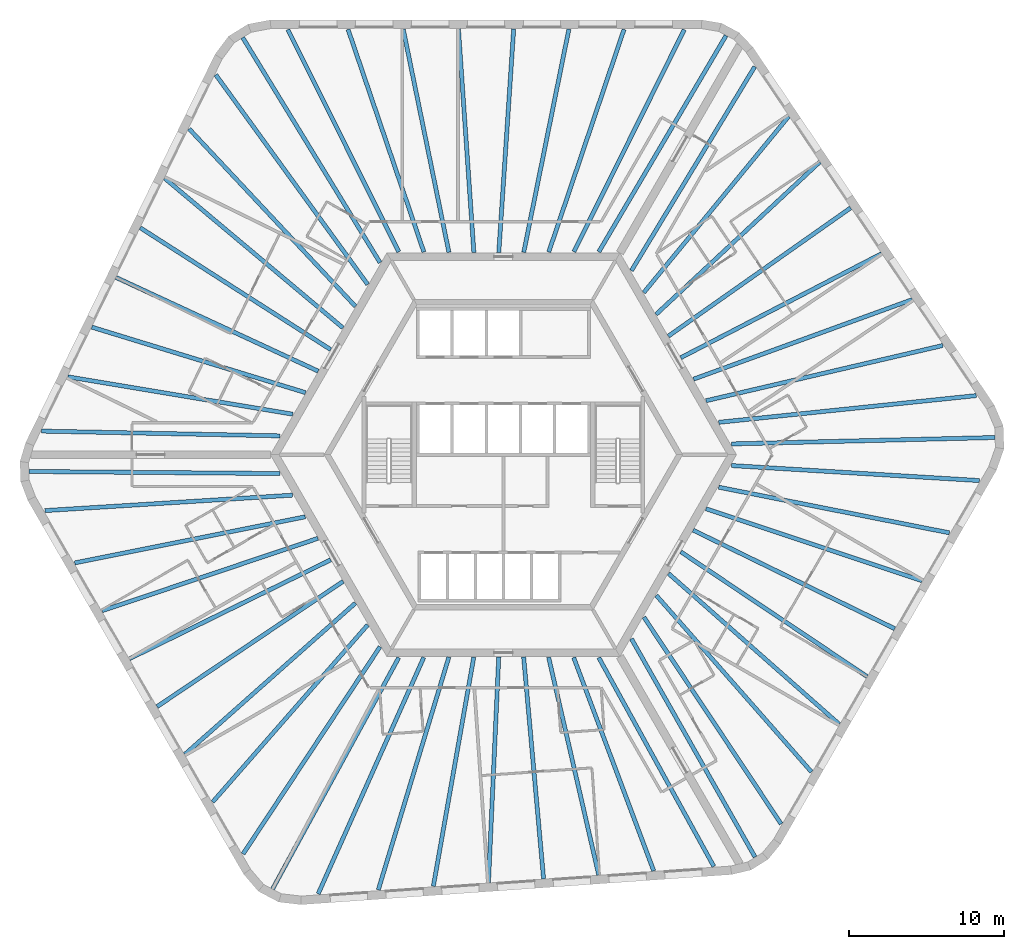
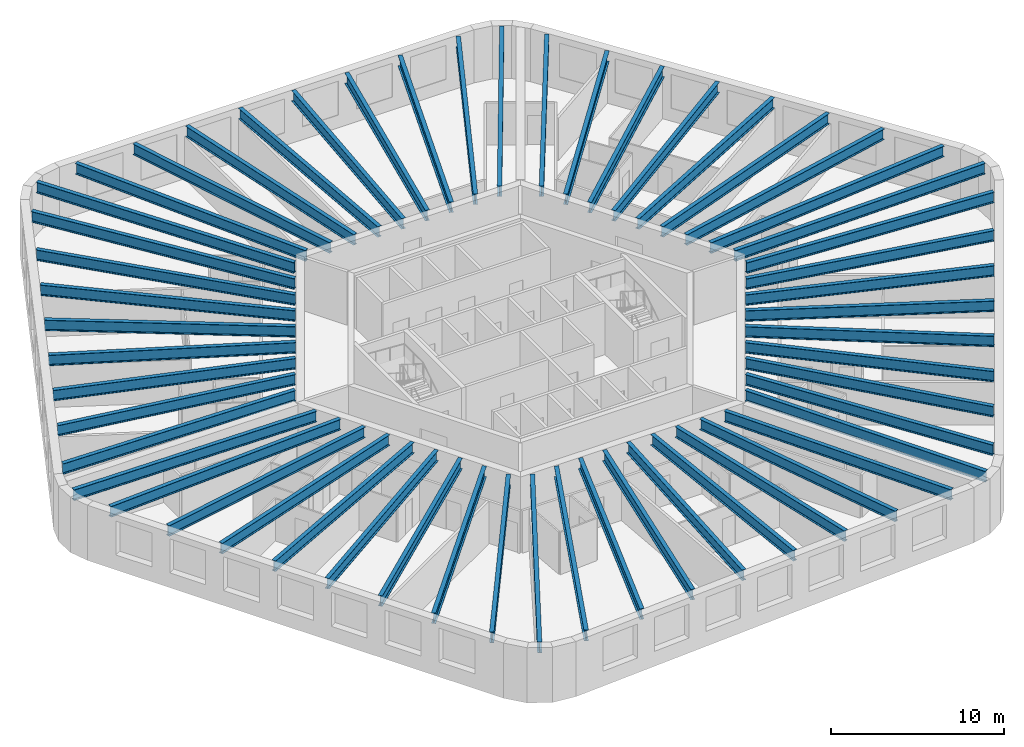
# One storey, part 1 of 10: 54 beams.
"""IFC4 building model written with IfcOpenShell, lengths in metres."""

from ifc_helpers import new_model, si_unit, direction, frame, origin, origin_2d, place, context, subcontext, project, spatial, i_section, extrude, material, material_profile, profile_set, type_object, element, save


model = new_model("IFC4")

# Units and contexts
model_context = context("Model", 3, precision=1e-05, world=origin(), true_north=direction((0.0, 1.0)))
body_context = subcontext(model_context, "Body", "Model", "MODEL_VIEW")
ifc_project = project(units=[si_unit("LENGTHUNIT", "METRE"), si_unit("AREAUNIT", "SQUARE_METRE"), si_unit("VOLUMEUNIT", "CUBIC_METRE"), si_unit("PLANEANGLEUNIT", "RADIAN"), si_unit("MASSUNIT", "GRAM", prefix="KILO")], contexts=[model_context])

# Site, building, storey
site_placement = place(None, origin())
site = spatial("IfcSite", under=ifc_project, at=site_placement, CompositionType="ELEMENT")
building_placement = place(site_placement, origin())
building = spatial("IfcBuilding", under=site, at=building_placement, Name="Tarnside Tower", CompositionType="ELEMENT")
storey_placement = place(building_placement, frame((0.0, 0.0, 168.300048828125)))
storey = spatial("IfcBuildingStorey", under=building, at=storey_placement, Name="L39", CompositionType="ELEMENT", Elevation=168.300048828125)

# Beams
ifc_material = material(Name="Steel S355", Category="steel")
ifc_material_profile_1 = material_profile(ifc_material, i_section(OverallWidth=0.26513671875, OverallDepth=0.75390625, WebThickness=0.0126953125, FlangeThickness=0.017578125, FilletRadius=0.0166015625, at=origin_2d()), Name="UB 762x267x147")
ifc_profile_set_1 = profile_set([ifc_material_profile_1], Name="Steel S355")
beam_type_1 = type_object("IfcBeamType", Name="Floor beam UB 762x267x147", PredefinedType="BEAM", material=ifc_profile_set_1)
beam_1_placement = place(storey_placement, frame((7.77001953125, 27.393310546875, 3.373046875), z_axis=(-0.320362579778, -0.947295000239, 0.0), x_axis=(0.947295000239, -0.320362579778, 0.0)))
element("IfcBeam", 1, at=beam_1_placement, inside=storey, type_object=beam_type_1, Name="Floor beam F1.02", PredefinedType="BEAM", context=body_context, shape_type="SweptSolid", body=[
    extrude(i_section(OverallWidth=0.26513671875, OverallDepth=0.75390625, WebThickness=0.0126953125, FlangeThickness=0.017578125, FilletRadius=0.0166015625, at=origin_2d()), origin(), (0.0, 0.0, 1.0), 15.134033203125),
])
beam_2_placement = place(storey_placement, frame((4.218505859375, 27.410888671875, 3.373046875), z_axis=(-0.19841777413, -0.980117537293, 0.0), x_axis=(0.980117537293, -0.19841777413, 0.0)))
element("IfcBeam", 2, at=beam_2_placement, inside=storey, type_object=beam_type_1, Name="Floor beam F1.03", PredefinedType="BEAM", context=body_context, shape_type="SweptSolid", body=[
    extrude(i_section(OverallWidth=0.26513671875, OverallDepth=0.75390625, WebThickness=0.0126953125, FlangeThickness=0.017578125, FilletRadius=0.0166015625, at=origin_2d()), origin(), (0.0, 0.0, 1.0), 14.6630859375),
])
beam_3_placement = place(storey_placement, frame((0.66259765625, 27.429931640625, 3.373046875), z_axis=(-0.066554914868, -0.997782763585, 0.0), x_axis=(0.997782763585, -0.066554914868, 0.0)))
element("IfcBeam", 3, at=beam_3_placement, inside=storey, type_object=beam_type_1, Name="Floor beam F1.04", PredefinedType="BEAM", context=body_context, shape_type="SweptSolid", body=[
    extrude(i_section(OverallWidth=0.26513671875, OverallDepth=0.75390625, WebThickness=0.0126953125, FlangeThickness=0.017578125, FilletRadius=0.0166015625, at=origin_2d()), origin(), (0.0, 0.0, 1.0), 14.44189453125),
])
beam_4_placement = place(storey_placement, frame((-2.8974609375, 27.429931640625, 3.373046875), z_axis=(0.068876921658, -0.997625164911, 0.0), x_axis=(0.997625164911, 0.068876921658, 0.0)))
element("IfcBeam", 4, at=beam_4_placement, inside=storey, type_object=beam_type_1, Name="Floor beam F1.05", PredefinedType="BEAM", context=body_context, shape_type="SweptSolid", body=[
    extrude(i_section(OverallWidth=0.26513671875, OverallDepth=0.75390625, WebThickness=0.0126953125, FlangeThickness=0.017578125, FilletRadius=0.0166015625, at=origin_2d()), origin(), (0.0, 0.0, 1.0), 14.4443359375),
])
beam_5_placement = place(storey_placement, frame((-6.45361328125, 27.410888671875, 3.373046875), z_axis=(0.200623497398, -0.979668419564, 0.0), x_axis=(0.979668419564, 0.200623497398, 0.0)))
element("IfcBeam", 5, at=beam_5_placement, inside=storey, type_object=beam_type_1, Name="Floor beam F1.06", PredefinedType="BEAM", context=body_context, shape_type="SweptSolid", body=[
    extrude(i_section(OverallWidth=0.26513671875, OverallDepth=0.75390625, WebThickness=0.0126953125, FlangeThickness=0.017578125, FilletRadius=0.0166015625, at=origin_2d()), origin(), (0.0, 0.0, 1.0), 14.669921875),
])
beam_6_placement = place(storey_placement, frame((-10.0048828125, 27.393310546875, 3.373046875), z_axis=(0.322343712034, -0.946622697442, 0.0), x_axis=(0.946622697442, 0.322343712034, 0.0)))
element("IfcBeam", 6, at=beam_6_placement, inside=storey, type_object=beam_type_1, Name="Floor beam F1.07", PredefinedType="BEAM", context=body_context, shape_type="SweptSolid", body=[
    extrude(i_section(OverallWidth=0.26513671875, OverallDepth=0.75390625, WebThickness=0.0126953125, FlangeThickness=0.017578125, FilletRadius=0.0166015625, at=origin_2d()), origin(), (0.0, 0.0, 1.0), 15.144775390625),
])
beam_7_placement = place(storey_placement, frame((-20.241455078125, 20.9892578125, 3.373046875), z_axis=(0.683752330283, -0.729714156936, 0.0), x_axis=(0.729714156936, 0.683752330283, 0.0)))
element("IfcBeam", 7, at=beam_7_placement, inside=storey, type_object=beam_type_1, Name="Floor beam F2.02", PredefinedType="BEAM", context=body_context, shape_type="SweptSolid", body=[
    extrude(i_section(OverallWidth=0.26513671875, OverallDepth=0.75390625, WebThickness=0.0126953125, FlangeThickness=0.017578125, FilletRadius=0.0166015625, at=origin_2d()), origin(), (0.0, 0.0, 1.0), 15.6591796875),
])
beam_8_placement = place(storey_placement, frame((-21.81396484375, 17.80419921875, 3.373046875), z_axis=(0.765948461073, -0.642901979294, 0.0), x_axis=(0.642901979294, 0.765948461073, 0.0)))
element("IfcBeam", 8, at=beam_8_placement, inside=storey, type_object=beam_type_1, Name="Floor beam F2.03", PredefinedType="BEAM", context=body_context, shape_type="SweptSolid", body=[
    extrude(i_section(OverallWidth=0.26513671875, OverallDepth=0.75390625, WebThickness=0.0126953125, FlangeThickness=0.017578125, FilletRadius=0.0166015625, at=origin_2d()), origin(), (0.0, 0.0, 1.0), 14.982177734375),
])
beam_9_placement = place(storey_placement, frame((-23.389892578125, 14.616455078125, 3.373046875), z_axis=(0.842378275633, -0.538886667808, 0.0), x_axis=(0.538886667808, 0.842378275633, 0.0)))
element("IfcBeam", 9, at=beam_9_placement, inside=storey, type_object=beam_type_1, Name="Floor beam F2.04", PredefinedType="BEAM", context=body_context, shape_type="SweptSolid", body=[
    extrude(i_section(OverallWidth=0.26513671875, OverallDepth=0.75390625, WebThickness=0.0126953125, FlangeThickness=0.017578125, FilletRadius=0.0166015625, at=origin_2d()), origin(), (0.0, 0.0, 1.0), 14.5595703125),
])
beam_10_placement = place(storey_placement, frame((-24.9501953125, 11.416748046875, 3.373046875), z_axis=(0.907310131748, -0.420462037321, 0.0), x_axis=(0.420462037321, 0.907310131748, 0.0)))
element("IfcBeam", 10, at=beam_10_placement, inside=storey, type_object=beam_type_1, Name="Floor beam F2.05", PredefinedType="BEAM", context=body_context, shape_type="SweptSolid", body=[
    extrude(i_section(OverallWidth=0.26513671875, OverallDepth=0.75390625, WebThickness=0.0126953125, FlangeThickness=0.017578125, FilletRadius=0.0166015625, at=origin_2d()), origin(), (0.0, 0.0, 1.0), 14.353515625),
])
beam_11_placement = place(storey_placement, frame((-26.510986328125, 8.2177734375, 3.373046875), z_axis=(0.956073348261, -0.293127536654, 0.0), x_axis=(0.293127536654, 0.956073348261, 0.0)))
element("IfcBeam", 11, at=beam_11_placement, inside=storey, type_object=beam_type_1, Name="Floor beam F2.06", PredefinedType="BEAM", context=body_context, shape_type="SweptSolid", body=[
    extrude(i_section(OverallWidth=0.26513671875, OverallDepth=0.75390625, WebThickness=0.0126953125, FlangeThickness=0.017578125, FilletRadius=0.0166015625, at=origin_2d()), origin(), (0.0, 0.0, 1.0), 14.3955078125),
])
beam_12_placement = place(storey_placement, frame((-28.0517578125, 5.015869140625, 3.373046875), z_axis=(0.986476498304, -0.163902770858, 0.0), x_axis=(0.163902770858, 0.986476498304, 0.0)))
element("IfcBeam", 12, at=beam_12_placement, inside=storey, type_object=beam_type_1, Name="Floor beam F2.07", PredefinedType="BEAM", context=body_context, shape_type="SweptSolid", body=[
    extrude(i_section(OverallWidth=0.26513671875, OverallDepth=0.75390625, WebThickness=0.0126953125, FlangeThickness=0.017578125, FilletRadius=0.0166015625, at=origin_2d()), origin(), (0.0, 0.0, 1.0), 14.680908203125),
])
beam_13_placement = place(storey_placement, frame((-29.73828125, 1.521484375, 3.373046875), z_axis=(0.999800142641, -0.019991867701, 0.0), x_axis=(0.019991867701, 0.999800142641, 0.0)))
element("IfcBeam", 13, at=beam_13_placement, inside=storey, type_object=beam_type_1, Name="Floor beam F2.08", PredefinedType="BEAM", context=body_context, shape_type="SweptSolid", body=[
    extrude(i_section(OverallWidth=0.26513671875, OverallDepth=0.75390625, WebThickness=0.0126953125, FlangeThickness=0.017578125, FilletRadius=0.0166015625, at=origin_2d()), origin(), (0.0, 0.0, 1.0), 15.3505859375),
])
beam_14_placement = place(storey_placement, frame((-27.608154296875, -6.967529296875, 3.373046875), z_axis=(0.980564540422, 0.196196794232, 0.0), x_axis=(-0.196196794232, 0.980564540422, 0.0)))
element("IfcBeam", 14, at=beam_14_placement, inside=storey, type_object=beam_type_1, Name="Floor beam F3.02", PredefinedType="BEAM", context=body_context, shape_type="SweptSolid", body=[
    extrude(i_section(OverallWidth=0.26513671875, OverallDepth=0.75390625, WebThickness=0.0126953125, FlangeThickness=0.017578125, FilletRadius=0.0166015625, at=origin_2d()), origin(), (0.0, 0.0, 1.0), 15.134033203125),
])
beam_15_placement = place(storey_placement, frame((-25.84765625, -10.052001953125, 3.373046875), z_axis=(0.948011835322, 0.31823507049, 0.0), x_axis=(-0.31823507049, 0.948011835322, 0.0)))
element("IfcBeam", 15, at=beam_15_placement, inside=storey, type_object=beam_type_1, Name="Floor beam F3.03", PredefinedType="BEAM", context=body_context, shape_type="SweptSolid", body=[
    extrude(i_section(OverallWidth=0.26513671875, OverallDepth=0.75390625, WebThickness=0.0126953125, FlangeThickness=0.017578125, FilletRadius=0.0166015625, at=origin_2d()), origin(), (0.0, 0.0, 1.0), 14.662841796875),
])
beam_16_placement = place(storey_placement, frame((-24.086181640625, -13.141357421875, 3.373046875), z_axis=(0.897375974806, 0.441266767206, 0.0), x_axis=(-0.441266767206, 0.897375974806, 0.0)))
element("IfcBeam", 16, at=beam_16_placement, inside=storey, type_object=beam_type_1, Name="Floor beam F3.04", PredefinedType="BEAM", context=body_context, shape_type="SweptSolid", body=[
    extrude(i_section(OverallWidth=0.26513671875, OverallDepth=0.75390625, WebThickness=0.0126953125, FlangeThickness=0.017578125, FilletRadius=0.0166015625, at=origin_2d()), origin(), (0.0, 0.0, 1.0), 14.442138671875),
])
beam_17_placement = place(storey_placement, frame((-22.306396484375, -16.224365234375, 3.373046875), z_axis=(0.829532486243, 0.558458462437, 0.0), x_axis=(-0.558458462437, 0.829532486243, 0.0)))
element("IfcBeam", 17, at=beam_17_placement, inside=storey, type_object=beam_type_1, Name="Floor beam F3.05", PredefinedType="BEAM", context=body_context, shape_type="SweptSolid", body=[
    extrude(i_section(OverallWidth=0.26513671875, OverallDepth=0.75390625, WebThickness=0.0126953125, FlangeThickness=0.017578125, FilletRadius=0.0166015625, at=origin_2d()), origin(), (0.0, 0.0, 1.0), 14.444580078125),
])
beam_18_placement = place(storey_placement, frame((-20.51171875, -19.294189453125, 3.373046875), z_axis=(0.74811408094, 0.663570133369, 0.0), x_axis=(-0.663570133369, 0.74811408094, 0.0)))
element("IfcBeam", 18, at=beam_18_placement, inside=storey, type_object=beam_type_1, Name="Floor beam F3.06", PredefinedType="BEAM", context=body_context, shape_type="SweptSolid", body=[
    extrude(i_section(OverallWidth=0.26513671875, OverallDepth=0.75390625, WebThickness=0.0126953125, FlangeThickness=0.017578125, FilletRadius=0.0166015625, at=origin_2d()), origin(), (0.0, 0.0, 1.0), 14.669677734375),
])
beam_19_placement = place(storey_placement, frame((-18.720703125, -22.361083984375, 3.373046875), z_axis=(0.658621010302, 0.752474826681, 0.0), x_axis=(-0.752474826681, 0.658621010302, 0.0)))
element("IfcBeam", 19, at=beam_19_placement, inside=storey, type_object=beam_type_1, Name="Floor beam F3.07", PredefinedType="BEAM", context=body_context, shape_type="SweptSolid", body=[
    extrude(i_section(OverallWidth=0.26513671875, OverallDepth=0.75390625, WebThickness=0.0126953125, FlangeThickness=0.017578125, FilletRadius=0.0166015625, at=origin_2d()), origin(), (0.0, 0.0, 1.0), 15.144775390625),
])
beam_20_placement = place(storey_placement, frame((-8.056396484375, -28.024169921875, 3.373046875), z_axis=(0.290070138838, 0.957005388989, 0.0), x_axis=(-0.957005388989, 0.290070138838, 0.0)))
element("IfcBeam", 20, at=beam_20_placement, inside=storey, type_object=beam_type_1, Name="Floor beam F4.02", PredefinedType="BEAM", context=body_context, shape_type="SweptSolid", body=[
    extrude(i_section(OverallWidth=0.26513671875, OverallDepth=0.75390625, WebThickness=0.0126953125, FlangeThickness=0.017578125, FilletRadius=0.0166015625, at=origin_2d()), origin(), (0.0, 0.0, 1.0), 15.6591796875),
])
beam_21_placement = place(storey_placement, frame((-4.511962890625, -27.793701171875, 3.373046875), z_axis=(0.173788122681, 0.984783066678, 0.0), x_axis=(-0.984783066678, 0.173788122681, 0.0)))
element("IfcBeam", 21, at=beam_21_placement, inside=storey, type_object=beam_type_1, Name="Floor beam F4.03", PredefinedType="BEAM", context=body_context, shape_type="SweptSolid", body=[
    extrude(i_section(OverallWidth=0.26513671875, OverallDepth=0.75390625, WebThickness=0.0126953125, FlangeThickness=0.017578125, FilletRadius=0.0166015625, at=origin_2d()), origin(), (0.0, 0.0, 1.0), 14.982421875),
])
beam_22_placement = place(storey_placement, frame((-0.96337890625, -27.564453125, 3.373046875), z_axis=(0.045509585226, 0.998963902077, 0.0), x_axis=(-0.998963902077, 0.045509585226, 0.0)))
element("IfcBeam", 22, at=beam_22_placement, inside=storey, type_object=beam_type_1, Name="Floor beam F4.04", PredefinedType="BEAM", context=body_context, shape_type="SweptSolid", body=[
    extrude(i_section(OverallWidth=0.26513671875, OverallDepth=0.75390625, WebThickness=0.0126953125, FlangeThickness=0.017578125, FilletRadius=0.0166015625, at=origin_2d()), origin(), (0.0, 0.0, 1.0), 14.5595703125),
])
beam_23_placement = place(storey_placement, frame((2.587890625, -27.31591796875, 3.373046875), z_axis=(-0.089518916897, 0.995985122137, 0.0), x_axis=(-0.995985122137, -0.089518916897, 0.0)))
element("IfcBeam", 23, at=beam_23_placement, inside=storey, type_object=beam_type_1, Name="Floor beam F4.05", PredefinedType="BEAM", context=body_context, shape_type="SweptSolid", body=[
    extrude(i_section(OverallWidth=0.26513671875, OverallDepth=0.75390625, WebThickness=0.0126953125, FlangeThickness=0.017578125, FilletRadius=0.0166015625, at=origin_2d()), origin(), (0.0, 0.0, 1.0), 14.353515625),
])
beam_24_placement = place(storey_placement, frame((6.138671875, -27.068115234375, 3.373046875), z_axis=(-0.224188122435, 0.974545886944, 0.0), x_axis=(-0.974545886944, -0.224188122435, 0.0)))
element("IfcBeam", 24, at=beam_24_placement, inside=storey, type_object=beam_type_1, Name="Floor beam F4.06", PredefinedType="BEAM", context=body_context, shape_type="SweptSolid", body=[
    extrude(i_section(OverallWidth=0.26513671875, OverallDepth=0.75390625, WebThickness=0.0126953125, FlangeThickness=0.017578125, FilletRadius=0.0166015625, at=origin_2d()), origin(), (0.0, 0.0, 1.0), 14.3955078125),
])
beam_25_placement = place(storey_placement, frame((9.681884765625, -26.801513671875, 3.373046875), z_axis=(-0.351271055087, 0.936273809234, 0.0), x_axis=(-0.936273809234, -0.351271055087, 0.0)))
element("IfcBeam", 25, at=beam_25_placement, inside=storey, type_object=beam_type_1, Name="Floor beam F4.07", PredefinedType="BEAM", context=body_context, shape_type="SweptSolid", body=[
    extrude(i_section(OverallWidth=0.26513671875, OverallDepth=0.75390625, WebThickness=0.0126953125, FlangeThickness=0.017578125, FilletRadius=0.0166015625, at=origin_2d()), origin(), (0.0, 0.0, 1.0), 14.680908203125),
])
beam_26_placement = place(storey_placement, frame((13.551513671875, -26.514892578125, 3.373046875), z_axis=(-0.482584088089, 0.875849643445, 0.0), x_axis=(-0.875849643445, -0.482584088089, 0.0)))
element("IfcBeam", 26, at=beam_26_placement, inside=storey, type_object=beam_type_1, Name="Floor beam F4.08", PredefinedType="BEAM", context=body_context, shape_type="SweptSolid", body=[
    extrude(i_section(OverallWidth=0.26513671875, OverallDepth=0.75390625, WebThickness=0.0126953125, FlangeThickness=0.017578125, FilletRadius=0.0166015625, at=origin_2d()), origin(), (0.0, 0.0, 1.0), 15.3505859375),
])
beam_27_placement = place(storey_placement, frame((19.838134765625, -20.425537109375, 3.373046875), z_axis=(-0.660201214512, 0.751088780609, 0.0), x_axis=(-0.751088780609, -0.660201214512, 0.0)))
element("IfcBeam", 27, at=beam_27_placement, inside=storey, type_object=beam_type_1, Name="Floor beam F5.02", PredefinedType="BEAM", context=body_context, shape_type="SweptSolid", body=[
    extrude(i_section(OverallWidth=0.26513671875, OverallDepth=0.75390625, WebThickness=0.0126953125, FlangeThickness=0.017578125, FilletRadius=0.0166015625, at=origin_2d()), origin(), (0.0, 0.0, 1.0), 15.134033203125),
])
beam_28_placement = place(storey_placement, frame((21.629150390625, -17.358642578125, 3.373046875), z_axis=(-0.749601662028, 0.661889226597, 0.0), x_axis=(-0.661889226597, -0.749601662028, 0.0)))
element("IfcBeam", 28, at=beam_28_placement, inside=storey, type_object=beam_type_1, Name="Floor beam F5.03", PredefinedType="BEAM", context=body_context, shape_type="SweptSolid", body=[
    extrude(i_section(OverallWidth=0.26513671875, OverallDepth=0.75390625, WebThickness=0.0126953125, FlangeThickness=0.017578125, FilletRadius=0.0166015625, at=origin_2d()), origin(), (0.0, 0.0, 1.0), 14.6630859375),
])
beam_29_placement = place(storey_placement, frame((23.423828125, -14.288818359375, 3.373046875), z_axis=(-0.830825943553, 0.556532345439, 0.0), x_axis=(-0.556532345439, -0.830825943553, 0.0)))
element("IfcBeam", 29, at=beam_29_placement, inside=storey, type_object=beam_type_1, Name="Floor beam F5.04", PredefinedType="BEAM", context=body_context, shape_type="SweptSolid", body=[
    extrude(i_section(OverallWidth=0.26513671875, OverallDepth=0.75390625, WebThickness=0.0126953125, FlangeThickness=0.017578125, FilletRadius=0.0166015625, at=origin_2d()), origin(), (0.0, 0.0, 1.0), 14.4423828125),
])
beam_30_placement = place(storey_placement, frame((25.203857421875, -11.205810546875, 3.373046875), z_axis=(-0.898407034897, 0.43916375038, 0.0), x_axis=(-0.43916375038, -0.898407034897, 0.0)))
element("IfcBeam", 30, at=beam_30_placement, inside=storey, type_object=beam_type_1, Name="Floor beam F5.05", PredefinedType="BEAM", context=body_context, shape_type="SweptSolid", body=[
    extrude(i_section(OverallWidth=0.26513671875, OverallDepth=0.75390625, WebThickness=0.0126953125, FlangeThickness=0.017578125, FilletRadius=0.0166015625, at=origin_2d()), origin(), (0.0, 0.0, 1.0), 14.444580078125),
])
beam_31_placement = place(storey_placement, frame((26.965087890625, -8.116455078125, 3.373046875), z_axis=(-0.948728223501, 0.31609295774, 0.0), x_axis=(-0.31609295774, -0.948728223501, 0.0)))
element("IfcBeam", 31, at=beam_31_placement, inside=storey, type_object=beam_type_1, Name="Floor beam F5.06", PredefinedType="BEAM", context=body_context, shape_type="SweptSolid", body=[
    extrude(i_section(OverallWidth=0.26513671875, OverallDepth=0.75390625, WebThickness=0.0126953125, FlangeThickness=0.017578125, FilletRadius=0.0166015625, at=origin_2d()), origin(), (0.0, 0.0, 1.0), 14.669677734375),
])
beam_32_placement = place(storey_placement, frame((28.7255859375, -5.031982421875, 3.373046875), z_axis=(-0.980974250646, 0.194137888034, 0.0), x_axis=(-0.194137888034, -0.980974250646, 0.0)))
element("IfcBeam", 32, at=beam_32_placement, inside=storey, type_object=beam_type_1, Name="Floor beam F5.07", PredefinedType="BEAM", context=body_context, shape_type="SweptSolid", body=[
    extrude(i_section(OverallWidth=0.26513671875, OverallDepth=0.75390625, WebThickness=0.0126953125, FlangeThickness=0.017578125, FilletRadius=0.0166015625, at=origin_2d()), origin(), (0.0, 0.0, 1.0), 15.144775390625),
])
beam_33_placement = place(storey_placement, frame((28.2978515625, 7.034912109375, 3.373046875), z_axis=(-0.973828212928, -0.227285309042, 0.0), x_axis=(0.227285309042, -0.973828212928, 0.0)))
element("IfcBeam", 33, at=beam_33_placement, inside=storey, type_object=beam_type_1, Name="Floor beam F6.02", PredefinedType="BEAM", context=body_context, shape_type="SweptSolid", body=[
    extrude(i_section(OverallWidth=0.26513671875, OverallDepth=0.75390625, WebThickness=0.0126953125, FlangeThickness=0.017578125, FilletRadius=0.0166015625, at=origin_2d()), origin(), (0.0, 0.0, 1.0), 15.6591796875),
])
beam_34_placement = place(storey_placement, frame((26.325927734375, 9.989501953125, 3.373046875), z_axis=(-0.939738697004, -0.341893523415, 0.0), x_axis=(0.341893523415, -0.939738697004, 0.0)))
element("IfcBeam", 34, at=beam_34_placement, inside=storey, type_object=beam_type_1, Name="Floor beam F6.03", PredefinedType="BEAM", context=body_context, shape_type="SweptSolid", body=[
    extrude(i_section(OverallWidth=0.26513671875, OverallDepth=0.75390625, WebThickness=0.0126953125, FlangeThickness=0.017578125, FilletRadius=0.0166015625, at=origin_2d()), origin(), (0.0, 0.0, 1.0), 14.982177734375),
])
beam_35_placement = place(storey_placement, frame((24.353271484375, 12.947998046875, 3.373046875), z_axis=(-0.887881646639, -0.460071930856, 0.0), x_axis=(0.460071930856, -0.887881646639, 0.0)))
element("IfcBeam", 35, at=beam_35_placement, inside=storey, type_object=beam_type_1, Name="Floor beam F6.04", PredefinedType="BEAM", context=body_context, shape_type="SweptSolid", body=[
    extrude(i_section(OverallWidth=0.26513671875, OverallDepth=0.75390625, WebThickness=0.0126953125, FlangeThickness=0.017578125, FilletRadius=0.0166015625, at=origin_2d()), origin(), (0.0, 0.0, 1.0), 14.5595703125),
])
beam_36_placement = place(storey_placement, frame((22.3623046875, 15.899169921875, 3.373046875), z_axis=(-0.817791001708, -0.575515314762, 0.0), x_axis=(0.575515314762, -0.817791001708, 0.0)))
element("IfcBeam", 36, at=beam_36_placement, inside=storey, type_object=beam_type_1, Name="Floor beam F6.05", PredefinedType="BEAM", context=body_context, shape_type="SweptSolid", body=[
    extrude(i_section(OverallWidth=0.26513671875, OverallDepth=0.75390625, WebThickness=0.0126953125, FlangeThickness=0.017578125, FilletRadius=0.0166015625, at=origin_2d()), origin(), (0.0, 0.0, 1.0), 14.353759765625),
])
beam_37_placement = place(storey_placement, frame((20.372314453125, 18.850341796875, 3.373046875), z_axis=(-0.731892224456, -0.681420407517, 0.0), x_axis=(0.681420407517, -0.731892224456, 0.0)))
element("IfcBeam", 37, at=beam_37_placement, inside=storey, type_object=beam_type_1, Name="Floor beam F6.06", PredefinedType="BEAM", context=body_context, shape_type="SweptSolid", body=[
    extrude(i_section(OverallWidth=0.26513671875, OverallDepth=0.75390625, WebThickness=0.0126953125, FlangeThickness=0.017578125, FilletRadius=0.0166015625, at=origin_2d()), origin(), (0.0, 0.0, 1.0), 14.3955078125),
])
beam_38_placement = place(storey_placement, frame((18.369873046875, 21.78564453125, 3.373046875), z_axis=(-0.635191827457, -0.772354414975, 0.0), x_axis=(0.772354414975, -0.635191827457, 0.0)))
element("IfcBeam", 38, at=beam_38_placement, inside=storey, type_object=beam_type_1, Name="Floor beam F6.07", PredefinedType="BEAM", context=body_context, shape_type="SweptSolid", body=[
    extrude(i_section(OverallWidth=0.26513671875, OverallDepth=0.75390625, WebThickness=0.0126953125, FlangeThickness=0.017578125, FilletRadius=0.0166015625, at=origin_2d()), origin(), (0.0, 0.0, 1.0), 14.680908203125),
])
beam_39_placement = place(storey_placement, frame((16.186767578125, 24.993408203125, 3.373046875), z_axis=(-0.517208605106, -0.855859368591, 0.0), x_axis=(0.855859368591, -0.517208605106, 0.0)))
element("IfcBeam", 39, at=beam_39_placement, inside=storey, type_object=beam_type_1, Name="Floor beam F6.08", PredefinedType="BEAM", context=body_context, shape_type="SweptSolid", body=[
    extrude(i_section(OverallWidth=0.26513671875, OverallDepth=0.75390625, WebThickness=0.0126953125, FlangeThickness=0.017578125, FilletRadius=0.0166015625, at=origin_2d()), origin(), (0.0, 0.0, 1.0), 15.3505859375),
])
ifc_material_profile_2 = material_profile(ifc_material, i_section(OverallWidth=0.2666015625, OverallDepth=0.76220703125, WebThickness=0.014404296875, FlangeThickness=0.021484375, FilletRadius=0.0166015625, at=origin_2d()), Name="UB 762x267x173")
ifc_profile_set_2 = profile_set([ifc_material_profile_2], Name="Steel S355")
beam_type_2 = type_object("IfcBeamType", Name="Floor beam UB 762x267x173", PredefinedType="BEAM", material=ifc_profile_set_2)
beam_40_placement = place(storey_placement, frame((11.6494140625, 27.37841796875, 3.368896484375), z_axis=(-0.445042310328, -0.895509543231, 0.0), x_axis=(0.895509543231, -0.445042310328, 0.0)))
element("IfcBeam", 40, at=beam_40_placement, inside=storey, type_object=beam_type_2, Name="Floor beam F1.01", PredefinedType="BEAM", context=body_context, shape_type="SweptSolid", body=[
    extrude(i_section(OverallWidth=0.2666015625, OverallDepth=0.76220703125, WebThickness=0.014404296875, FlangeThickness=0.021484375, FilletRadius=0.0166015625, at=origin_2d()), origin(), (0.0, 0.0, 1.0), 15.976318359375),
])
beam_41_placement = place(storey_placement, frame((-13.884521484375, 27.37841796875, 3.368896484375), z_axis=(0.44673108957, -0.894668281326, 0.0), x_axis=(0.894668281326, 0.44673108957, 0.0)))
element("IfcBeam", 41, at=beam_41_placement, inside=storey, type_object=beam_type_2, Name="Floor beam F1.08", PredefinedType="BEAM", context=body_context, shape_type="SweptSolid", body=[
    extrude(i_section(OverallWidth=0.2666015625, OverallDepth=0.76220703125, WebThickness=0.014404296875, FlangeThickness=0.021484375, FilletRadius=0.0166015625, at=origin_2d()), origin(), (0.0, 0.0, 1.0), 15.9912109375),
])
beam_42_placement = place(storey_placement, frame((-16.79345703125, 26.86962890625, 3.368896484375), z_axis=(0.520940467881, -0.853593011291, 0.0), x_axis=(0.853593011291, 0.520940467881, 0.0)))
element("IfcBeam", 42, at=beam_42_placement, inside=storey, type_object=beam_type_2, Name="Floor beam C1", PredefinedType="BEAM", context=body_context, shape_type="SweptSolid", body=[
    extrude(i_section(OverallWidth=0.2666015625, OverallDepth=0.76220703125, WebThickness=0.014404296875, FlangeThickness=0.021484375, FilletRadius=0.0166015625, at=origin_2d()), origin(), (0.0, 0.0, 1.0), 16.980712890625),
])
beam_43_placement = place(storey_placement, frame((-18.52685546875, 24.471435546875, 3.368896484375), z_axis=(0.586791943415, -0.80973774467, 0.0), x_axis=(0.80973774467, 0.586791943415, 0.0)))
element("IfcBeam", 43, at=beam_43_placement, inside=storey, type_object=beam_type_2, Name="Floor beam F2.01", PredefinedType="BEAM", context=body_context, shape_type="SweptSolid", body=[
    extrude(i_section(OverallWidth=0.2666015625, OverallDepth=0.76220703125, WebThickness=0.014404296875, FlangeThickness=0.021484375, FilletRadius=0.0166015625, at=origin_2d()), origin(), (0.0, 0.0, 1.0), 16.67578125),
])
beam_44_placement = place(storey_placement, frame((-30.543212890625, -1.079345703125, 3.368896484375), z_axis=(0.999966072652, -0.008237326324, 0.0), x_axis=(0.008237326324, 0.999966072652, 0.0)))
element("IfcBeam", 44, at=beam_44_placement, inside=storey, type_object=beam_type_2, Name="Floor beam C2", PredefinedType="BEAM", context=body_context, shape_type="SweptSolid", body=[
    extrude(i_section(OverallWidth=0.2666015625, OverallDepth=0.76220703125, WebThickness=0.014404296875, FlangeThickness=0.021484375, FilletRadius=0.0166015625, at=origin_2d()), origin(), (0.0, 0.0, 1.0), 16.15283203125),
])
beam_45_placement = place(storey_placement, frame((-29.534912109375, -3.6005859375, 3.368896484375), z_axis=(0.99805531279, 0.062334521832, 0.0), x_axis=(-0.062334521832, 0.99805531279, 0.0)))
element("IfcBeam", 45, at=beam_45_placement, inside=storey, type_object=beam_type_2, Name="Floor beam F3.01", PredefinedType="BEAM", context=body_context, shape_type="SweptSolid", body=[
    extrude(i_section(OverallWidth=0.2666015625, OverallDepth=0.76220703125, WebThickness=0.014404296875, FlangeThickness=0.021484375, FilletRadius=0.0166015625, at=origin_2d()), origin(), (0.0, 0.0, 1.0), 15.975830078125),
])
beam_46_placement = place(storey_placement, frame((-16.768310546875, -25.71337890625, 3.368896484375), z_axis=(0.551447600123, 0.834209532623, 0.0), x_axis=(-0.834209532623, 0.551447600123, 0.0)))
element("IfcBeam", 46, at=beam_46_placement, inside=storey, type_object=beam_type_2, Name="Floor beam F3.08", PredefinedType="BEAM", context=body_context, shape_type="SweptSolid", body=[
    extrude(i_section(OverallWidth=0.2666015625, OverallDepth=0.76220703125, WebThickness=0.014404296875, FlangeThickness=0.021484375, FilletRadius=0.0166015625, at=origin_2d()), origin(), (0.0, 0.0, 1.0), 15.9912109375),
])
beam_47_placement = place(storey_placement, frame((-14.873046875, -27.978515625, 3.368896484375), z_axis=(0.478767512404, 0.877941723047, 0.0), x_axis=(-0.877941723047, 0.478767512404, 0.0)))
element("IfcBeam", 47, at=beam_47_placement, inside=storey, type_object=beam_type_2, Name="Floor beam C3", PredefinedType="BEAM", context=body_context, shape_type="SweptSolid", body=[
    extrude(i_section(OverallWidth=0.2666015625, OverallDepth=0.76220703125, WebThickness=0.014404296875, FlangeThickness=0.021484375, FilletRadius=0.0166015625, at=origin_2d()), origin(), (0.0, 0.0, 1.0), 16.98095703125),
])
beam_48_placement = place(storey_placement, frame((-11.929443359375, -28.280517578125, 3.368896484375), z_axis=(0.407852035629, 0.913048036542, 0.0), x_axis=(-0.913048036542, 0.407852035629, 0.0)))
element("IfcBeam", 48, at=beam_48_placement, inside=storey, type_object=beam_type_2, Name="Floor beam F4.01", PredefinedType="BEAM", context=body_context, shape_type="SweptSolid", body=[
    extrude(i_section(OverallWidth=0.2666015625, OverallDepth=0.76220703125, WebThickness=0.014404296875, FlangeThickness=0.021484375, FilletRadius=0.0166015625, at=origin_2d()), origin(), (0.0, 0.0, 1.0), 16.67578125),
])
beam_49_placement = place(storey_placement, frame((16.206298828125, -25.91162109375, 3.368896484375), z_axis=(-0.492847437034, 0.870115741616, 0.0), x_axis=(-0.870115741616, -0.492847437034, 0.0)))
element("IfcBeam", 49, at=beam_49_placement, inside=storey, type_object=beam_type_2, Name="Floor beam C4", PredefinedType="BEAM", context=body_context, shape_type="SweptSolid", body=[
    extrude(i_section(OverallWidth=0.2666015625, OverallDepth=0.76220703125, WebThickness=0.014404296875, FlangeThickness=0.021484375, FilletRadius=0.0166015625, at=origin_2d()), origin(), (0.0, 0.0, 1.0), 16.15283203125),
])
beam_50_placement = place(storey_placement, frame((17.8857421875, -23.77783203125, 3.368896484375), z_axis=(-0.553013371197, 0.833172377889, 0.0), x_axis=(-0.833172377889, -0.553013371197, 0.0)))
element("IfcBeam", 50, at=beam_50_placement, inside=storey, type_object=beam_type_2, Name="Floor beam F5.01", PredefinedType="BEAM", context=body_context, shape_type="SweptSolid", body=[
    extrude(i_section(OverallWidth=0.2666015625, OverallDepth=0.76220703125, WebThickness=0.014404296875, FlangeThickness=0.021484375, FilletRadius=0.0166015625, at=origin_2d()), origin(), (0.0, 0.0, 1.0), 15.97607421875),
])
beam_51_placement = place(storey_placement, frame((30.652587890625, -1.6650390625, 3.368896484375), z_axis=(-0.998170730858, 0.060458184371, 0.0), x_axis=(-0.060458184371, -0.998170730858, 0.0)))
element("IfcBeam", 51, at=beam_51_placement, inside=storey, type_object=beam_type_2, Name="Floor beam F5.08", PredefinedType="BEAM", context=body_context, shape_type="SweptSolid", body=[
    extrude(i_section(OverallWidth=0.2666015625, OverallDepth=0.76220703125, WebThickness=0.014404296875, FlangeThickness=0.021484375, FilletRadius=0.0166015625, at=origin_2d()), origin(), (0.0, 0.0, 1.0), 15.9912109375),
])
beam_52_placement = place(storey_placement, frame((31.66650390625, 1.108642578125, 3.368896484375), z_axis=(-0.999703706976, -0.024341287118, 0.0), x_axis=(0.024341287118, -0.999703706976, 0.0)))
element("IfcBeam", 52, at=beam_52_placement, inside=storey, type_object=beam_type_2, Name="Floor beam C5", PredefinedType="BEAM", context=body_context, shape_type="SweptSolid", body=[
    extrude(i_section(OverallWidth=0.2666015625, OverallDepth=0.76220703125, WebThickness=0.014404296875, FlangeThickness=0.021484375, FilletRadius=0.0166015625, at=origin_2d()), origin(), (0.0, 0.0, 1.0), 16.980712890625),
])
beam_53_placement = place(storey_placement, frame((30.456298828125, 3.80908203125, 3.368896484375), z_axis=(-0.994648352349, -0.103318222829, 0.0), x_axis=(0.103318222829, -0.994648352349, 0.0)))
element("IfcBeam", 53, at=beam_53_placement, inside=storey, type_object=beam_type_2, Name="Floor beam F6.01", PredefinedType="BEAM", context=body_context, shape_type="SweptSolid", body=[
    extrude(i_section(OverallWidth=0.2666015625, OverallDepth=0.76220703125, WebThickness=0.014404296875, FlangeThickness=0.021484375, FilletRadius=0.0166015625, at=origin_2d()), origin(), (0.0, 0.0, 1.0), 16.67578125),
])
beam_54_placement = place(storey_placement, frame((14.3369140625, 26.990966796875, 3.368896484375), z_axis=(-0.507115238706, -0.861878259775, 0.0), x_axis=(0.861878259775, -0.507115238706, 0.0)))
element("IfcBeam", 54, at=beam_54_placement, inside=storey, type_object=beam_type_2, Name="Floor beam C6", PredefinedType="BEAM", context=body_context, shape_type="SweptSolid", body=[
    extrude(i_section(OverallWidth=0.2666015625, OverallDepth=0.76220703125, WebThickness=0.014404296875, FlangeThickness=0.021484375, FilletRadius=0.0166015625, at=origin_2d()), origin(), (0.0, 0.0, 1.0), 16.15283203125),
])

save(model, "model.ifc")
